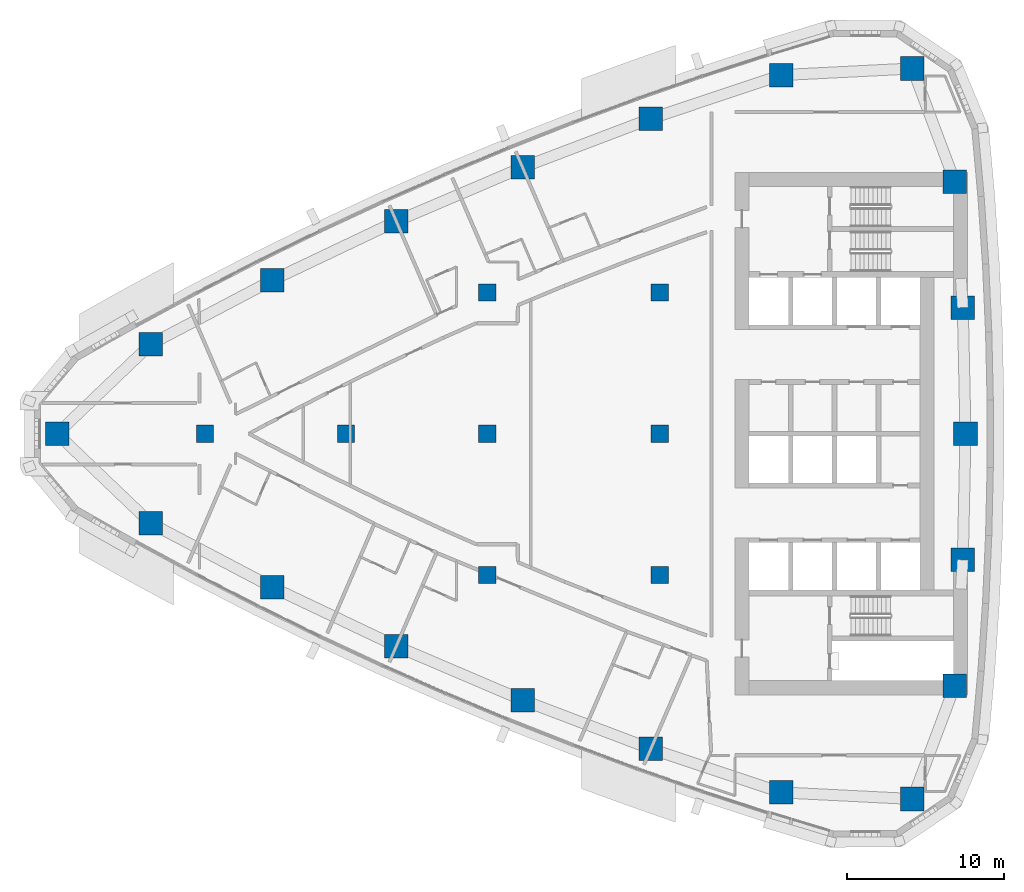
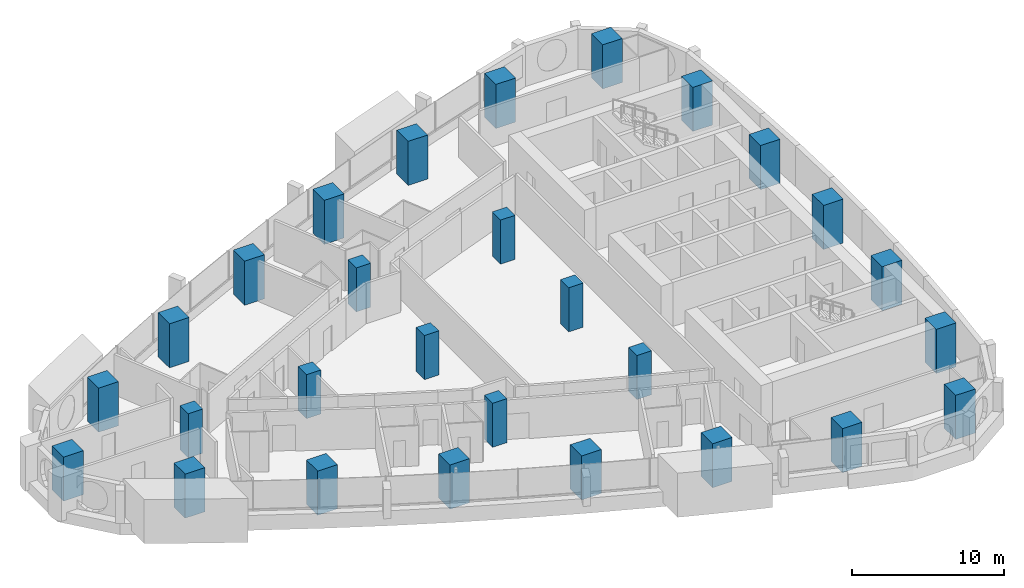
# One storey, part 1 of 17: 28 columns.
"""IFC4 building model written with IfcOpenShell, lengths in metres."""

from ifc_helpers import new_model, si_unit, direction, frame, origin, origin_2d, place, context, subcontext, project, spatial, rectangle, extrude, material, material_profile, profile_set, type_object, element, save


model = new_model("IFC4")

# Units and contexts
model_context = context("Model", 3, precision=1e-05, world=origin(), true_north=direction((0.0, 1.0)))
body_context = subcontext(model_context, "Body", "Model", "MODEL_VIEW")
ifc_project = project(units=[si_unit("LENGTHUNIT", "METRE"), si_unit("AREAUNIT", "SQUARE_METRE"), si_unit("VOLUMEUNIT", "CUBIC_METRE"), si_unit("PLANEANGLEUNIT", "RADIAN"), si_unit("MASSUNIT", "GRAM", prefix="KILO")], contexts=[model_context])

# Site, building, storey
site_placement = place(None, origin())
site = spatial("IfcSite", under=ifc_project, at=site_placement, CompositionType="ELEMENT")
building_placement = place(site_placement, origin())
building = spatial("IfcBuilding", under=site, at=building_placement, Name="Ostrand Prow Hotel Tower", CompositionType="ELEMENT")
storey_placement = place(building_placement, frame((0.0, 0.0, 130.199951171875)))
storey = spatial("IfcBuildingStorey", under=building, at=storey_placement, Name="L31", CompositionType="ELEMENT", Elevation=130.199951171875)

# Columns
ifc_material_1 = material(Name="Concrete C70/85", Category="concrete")
ifc_material_profile_1 = material_profile(ifc_material_1, rectangle(XDim=1.10009765625, YDim=1.10009765625, at=origin_2d()), Name="RC 1100x1100")
ifc_profile_set_1 = profile_set([ifc_material_profile_1], Name="Concrete C70/85")
column_type_1 = type_object("IfcColumnType", Name="Interior column 1100x1100 C70/85", PredefinedType="COLUMN", material=ifc_profile_set_1)
for number, where, z_axis, x_axis, name in (
    (1, (16.0, 0.0, 0.0), (0.0, 0.0, 1.0), (1.0, 0.0, 0.0), "Interior column 16C0"),
    (2, (25.0, 0.0, 0.0), (0.0, 0.0, 1.0), (1.0, 0.0, 0.0), "Interior column 25C0"),
    (3, (34.0, -9.0, 0.0), (0.0, 0.0, 1.0), (1.0, 0.0, 0.0), "Interior column 34S9"),
    (4, (34.0, 0.0, 0.0), (0.0, 0.0, 1.0), (1.0, 0.0, 0.0), "Interior column 34C0"),
    (5, (34.0, 9.0, 0.0), (0.0, 0.0, 1.0), (1.0, 0.0, 0.0), "Interior column 34N9"),
    (6, (45.0, -9.0, 0.0), (0.0, 0.0, 1.0), (1.0, 0.0, 0.0), "Interior column 45S9"),
    (7, (45.0, 0.0, 0.0), (0.0, 0.0, 1.0), (1.0, 0.0, 0.0), "Interior column 45C0"),
    (8, (45.0, 9.0, 0.0), (0.0, 0.0, 1.0), (1.0, 0.0, 0.0), "Interior column 45N9"),
):
    element("IfcColumn", number, at=place(storey_placement, frame(where, z_axis=z_axis, x_axis=x_axis)), inside=storey, type_object=column_type_1, Name=name, PredefinedType="COLUMN", context=body_context, shape_type="SweptSolid", body=[
        extrude(rectangle(XDim=1.10009765625, YDim=1.10009765625, at=origin_2d()), origin(), (0.0, 0.0, 1.0), 3.550048828125),
    ])
ifc_material_2 = material(Name="Concrete C70/85", Category="concrete")
ifc_material_profile_2 = material_profile(ifc_material_2, rectangle(XDim=1.5, YDim=1.5, at=origin_2d()), Name="RC 1500x1500")
ifc_profile_set_2 = profile_set([ifc_material_profile_2], Name="Concrete C70/85")
column_type_2 = type_object("IfcColumnType", Name="Stone-faced mega column 1500x1500 C70/85", PredefinedType="COLUMN", material=ifc_profile_set_2)
for number, where, z_axis, x_axis, name in (
    (9, (6.580078125, 0.0, 0.0), (0.0, 0.0, 1.0), (1.0, 0.0, 0.0), "Mega column P"),
    (10, (12.55322265625, -5.712646484375, 0.0), (0.0, 0.0, 1.0), (1.0, 0.0, 0.0), "Mega column S1"),
    (11, (20.300048828125, -9.787841796875, 0.0), (0.0, 0.0, 1.0), (1.0, 0.0, 0.0), "Mega column S2"),
    (12, (28.205078125, -13.547119140625, 0.0), (0.0, 0.0, 1.0), (1.0, 0.0, 0.0), "Mega column S3"),
    (13, (36.255615234375, -16.98388671875, 0.0), (0.0, 0.0, 1.0), (1.0, 0.0, 0.0), "Mega column S4"),
    (14, (44.438232421875, -20.093017578125, 0.0), (0.0, 0.0, 1.0), (1.0, 0.0, 0.0), "Mega column S5"),
    (15, (52.73974609375, -22.869140625, 0.0), (0.0, 0.0, 1.0), (1.0, 0.0, 0.0), "Mega column S6"),
    (16, (61.117431640625, -23.29052734375, 0.0), (0.0, 0.0, 1.0), (1.0, 0.0, 0.0), "Mega column SE"),
    (17, (63.818603515625, -16.074951171875, 0.0), (0.0, 0.0, 1.0), (1.0, 0.0, 0.0), "Mega column B1"),
    (18, (64.32958984375, -8.044677734375, 0.0), (0.0, 0.0, 1.0), (1.0, 0.0, 0.0), "Mega column B2"),
    (19, (64.5, 0.0, 0.0), (0.0, 0.0, 1.0), (1.0, 0.0, 0.0), "Mega column B3"),
    (20, (64.32958984375, 8.044677734375, 0.0), (0.0, 0.0, 1.0), (1.0, 0.0, 0.0), "Mega column B4"),
    (21, (63.818603515625, 16.074951171875, 0.0), (0.0, 0.0, 1.0), (1.0, 0.0, 0.0), "Mega column B5"),
    (22, (61.117431640625, 23.29052734375, 0.0), (0.0, 0.0, 1.0), (1.0, 0.0, 0.0), "Mega column NE"),
    (23, (52.73974609375, 22.869140625, 0.0), (0.0, 0.0, 1.0), (1.0, 0.0, 0.0), "Mega column N1"),
    (24, (44.438232421875, 20.093017578125, 0.0), (0.0, 0.0, 1.0), (1.0, 0.0, 0.0), "Mega column N2"),
    (25, (36.255615234375, 16.98388671875, 0.0), (0.0, 0.0, 1.0), (1.0, 0.0, 0.0), "Mega column N3"),
    (26, (28.205078125, 13.547119140625, 0.0), (0.0, 0.0, 1.0), (1.0, 0.0, 0.0), "Mega column N4"),
    (27, (20.300048828125, 9.787841796875, 0.0), (0.0, 0.0, 1.0), (1.0, 0.0, 0.0), "Mega column N5"),
    (28, (12.55322265625, 5.712646484375, 0.0), (0.0, 0.0, 1.0), (1.0, 0.0, 0.0), "Mega column N6"),
):
    element("IfcColumn", number, at=place(storey_placement, frame(where, z_axis=z_axis, x_axis=x_axis)), inside=storey, type_object=column_type_2, Name=name, PredefinedType="COLUMN", context=body_context, shape_type="SweptSolid", body=[
        extrude(rectangle(XDim=1.5, YDim=1.5, at=origin_2d()), origin(), (0.0, 0.0, 1.0), 3.550048828125),
    ])

save(model, "model.ifc")
